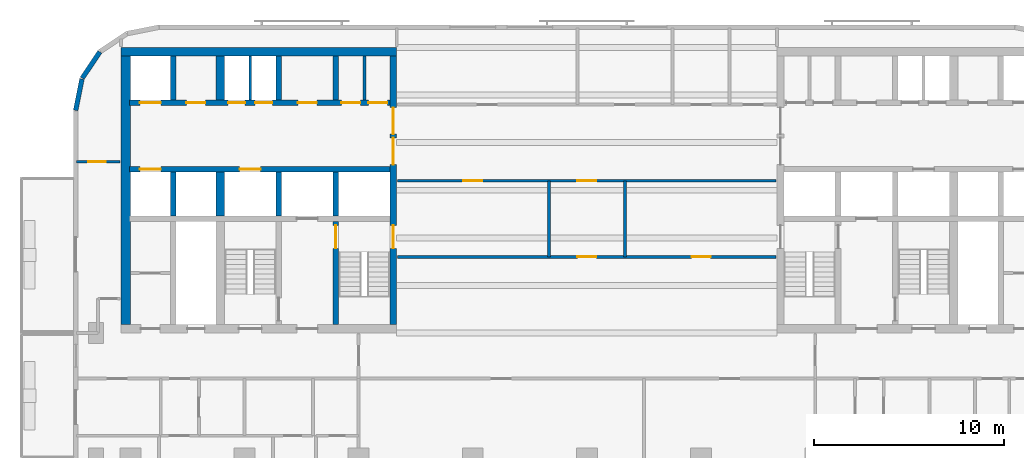
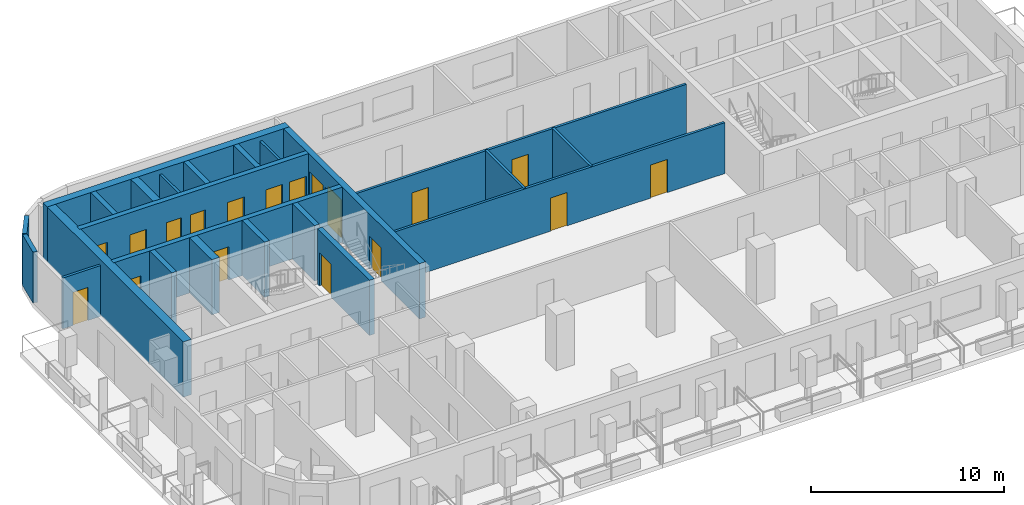
# One storey, part 4 of 11: 23 walls, 18 doors, 18 openings.
"""IFC4 building model written with IfcOpenShell, lengths in metres."""

from ifc_helpers import new_model, si_unit, direction, frame, frame_2d, origin, place, context, subcontext, project, spatial, rectangle, extrude, material, layer, layer_set, type_object, element, fill, save


model = new_model("IFC4")

# Units and contexts
model_context = context("Model", 3, precision=1e-05, world=origin(), true_north=direction((0.0, 1.0)))
body_context = subcontext(model_context, "Body", "Model", "MODEL_VIEW")
ifc_project = project(units=[si_unit("LENGTHUNIT", "METRE"), si_unit("AREAUNIT", "SQUARE_METRE"), si_unit("VOLUMEUNIT", "CUBIC_METRE"), si_unit("PLANEANGLEUNIT", "RADIAN"), si_unit("MASSUNIT", "GRAM", prefix="KILO")], contexts=[model_context])

# Site, building, storey
site_placement = place(None, origin())
site = spatial("IfcSite", under=ifc_project, at=site_placement, CompositionType="ELEMENT")
building_placement = place(site_placement, origin())
building = spatial("IfcBuilding", under=site, at=building_placement, Name="Torana Hotel and Residences", CompositionType="ELEMENT")
storey_placement = place(building_placement, frame((0.0, 0.0, 204.60009765625)))
storey = spatial("IfcBuildingStorey", under=building, at=storey_placement, Name="L53", CompositionType="ELEMENT", Elevation=204.60009765625)

# Wall, openings, doors
ifc_material_1 = material(Name="Concrete C70/85", Category="concrete")
ifc_layer_1 = layer(ifc_material_1, 0.300048828125)
ifc_layer_set_1 = layer_set([ifc_layer_1], Name="CORE WALL 300 C70/85")
wall_type_1 = type_object("IfcWallType", Name="CORE WALL 300 C70/85", PredefinedType="SHEAR", material=ifc_layer_set_1)
wall_1_placement = place(storey_placement, frame((-24.050048828125, -2.89990234375, 0.0), z_axis=(0.0, 0.0, 1.0), x_axis=(1.0, 0.0, 0.0)))
wall_1 = element("IfcWall", 1, at=wall_1_placement, inside=storey, type_object=wall_type_1, Name="Core wall W row-N", PredefinedType="SHEAR", context=body_context, shape_type="SweptSolid", body=[
    extrude(rectangle(XDim=13.699951171875, YDim=0.300048828125, at=frame_2d((6.85009765625, 0.0))), origin(), (0.0, 0.0, 1.0), 3.5),
])
opening_1_placement = place(wall_1_placement, frame((0.550048828125, 0.0, 0.0)))
opening_1 = element("IfcOpeningElement", 2, at=opening_1_placement, cuts=wall_1, Name="Opening LD", PredefinedType="OPENING", context=body_context, shape_type="SweptSolid", body=[
    extrude(rectangle(XDim=1.10009765625, YDim=2.10009765625, at=frame_2d((0.550048828125, 1.050048828125))), frame((0.0, 0.159912109375, 0.0), z_axis=(0.0, -1.0, 0.0), x_axis=(1.0, 0.0, 0.0)), (0.0, 0.0, 1.0), 0.320068359375),
])
opening_2_placement = place(wall_1_placement, frame((6.612548828125, 0.0, 0.0)))
opening_2 = element("IfcOpeningElement", 3, at=opening_2_placement, cuts=wall_1, Name="Opening L53-08", PredefinedType="OPENING", context=body_context, shape_type="SweptSolid", body=[
    extrude(rectangle(XDim=0.89990234375, YDim=2.10009765625, at=frame_2d((0.449951171875, 1.050048828125))), frame((0.0, 0.159912109375, 0.0), z_axis=(0.0, -1.0, 0.0), x_axis=(1.0, 0.0, 0.0)), (0.0, 0.0, 1.0), 0.320068359375),
])
opening_3_placement = place(wall_1_placement, frame((5.1875, 0.0, 0.0)))
opening_3 = element("IfcOpeningElement", 4, at=opening_3_placement, cuts=wall_1, Name="Opening L53-09", PredefinedType="OPENING", context=body_context, shape_type="SweptSolid", body=[
    extrude(rectangle(XDim=0.89990234375, YDim=2.10009765625, at=frame_2d((0.449951171875, 1.050048828125))), frame((0.0, 0.159912109375, 0.0), z_axis=(0.0, -1.0, 0.0), x_axis=(1.0, 0.0, 0.0)), (0.0, 0.0, 1.0), 0.320068359375),
])
opening_4_placement = place(wall_1_placement, frame((12.5625, 0.0, 0.0)))
opening_4 = element("IfcOpeningElement", 5, at=opening_4_placement, cuts=wall_1, Name="Opening L53-10", PredefinedType="OPENING", context=body_context, shape_type="SweptSolid", body=[
    extrude(rectangle(XDim=1.0, YDim=2.10009765625, at=frame_2d((0.5, 1.050048828125))), frame((0.0, 0.159912109375, 0.0), z_axis=(0.0, -1.0, 0.0), x_axis=(1.0, 0.0, 0.0)), (0.0, 0.0, 1.0), 0.320068359375),
])
opening_5_placement = place(wall_1_placement, frame((11.137451171875, 0.0, 0.0)))
opening_5 = element("IfcOpeningElement", 6, at=opening_5_placement, cuts=wall_1, Name="Opening L53-11", PredefinedType="OPENING", context=body_context, shape_type="SweptSolid", body=[
    extrude(rectangle(XDim=1.0, YDim=2.10009765625, at=frame_2d((0.5, 1.050048828125))), frame((0.0, 0.159912109375, 0.0), z_axis=(0.0, -1.0, 0.0), x_axis=(1.0, 0.0, 0.0)), (0.0, 0.0, 1.0), 0.320068359375),
])
opening_6_placement = place(wall_1_placement, frame((8.85009765625, 0.0, 0.0)))
opening_6 = element("IfcOpeningElement", 7, at=opening_6_placement, cuts=wall_1, Name="Opening L53-12", PredefinedType="OPENING", context=body_context, shape_type="SweptSolid", body=[
    extrude(rectangle(XDim=1.0, YDim=2.10009765625, at=frame_2d((0.5, 1.050048828125))), frame((0.0, 0.159912109375, 0.0), z_axis=(0.0, -1.0, 0.0), x_axis=(1.0, 0.0, 0.0)), (0.0, 0.0, 1.0), 0.320068359375),
])
opening_7_placement = place(wall_1_placement, frame((3.0, 0.0, 0.0)))
opening_7 = element("IfcOpeningElement", 8, at=opening_7_placement, cuts=wall_1, Name="Opening L53-13", PredefinedType="OPENING", context=body_context, shape_type="SweptSolid", body=[
    extrude(rectangle(XDim=1.0, YDim=2.10009765625, at=frame_2d((0.5, 1.050048828125))), frame((0.0, 0.159912109375, 0.0), z_axis=(0.0, -1.0, 0.0), x_axis=(1.0, 0.0, 0.0)), (0.0, 0.0, 1.0), 0.320068359375),
])
ifc_material_2 = material(Name="Steel S235", Category="steel")
door_type_1 = type_object("IfcDoorType", Name="CORE ROOM FIRE DOOR D14 1000x2100", OperationType="SINGLE_SWING_LEFT", PredefinedType="DOOR", material=ifc_material_2)
door_1_placement = place(opening_4_placement, origin())
door_1 = element("IfcDoor", 9, at=door_1_placement, inside=storey, type_object=door_type_1, Name="N0A door L53", OperationType="SINGLE_SWING_RIGHT", OverallHeight=2.10009765625, OverallWidth=1.0, PredefinedType="DOOR", context=body_context, shape_type="SweptSolid", body=[
    extrude(rectangle(XDim=1.0, YDim=2.10009765625, at=frame_2d((0.5, 1.050048828125))), frame((0.0, 0.02490234375, 0.0), z_axis=(0.0, -1.0, 0.0), x_axis=(1.0, 0.0, 0.0)), (0.0, 0.0, 1.0), 0.050048828125),
])
fill(opening_4, door_1)
door_2_placement = place(opening_5_placement, origin())
door_2 = element("IfcDoor", 10, at=door_2_placement, inside=storey, type_object=door_type_1, Name="N0B door L53", OperationType="SINGLE_SWING_RIGHT", OverallHeight=2.10009765625, OverallWidth=1.0, PredefinedType="DOOR", context=body_context, shape_type="SweptSolid", body=[
    extrude(rectangle(XDim=1.0, YDim=2.10009765625, at=frame_2d((0.5, 1.050048828125))), frame((0.0, 0.02490234375, 0.0), z_axis=(0.0, -1.0, 0.0), x_axis=(1.0, 0.0, 0.0)), (0.0, 0.0, 1.0), 0.050048828125),
])
fill(opening_5, door_2)
door_3_placement = place(opening_6_placement, origin())
door_3 = element("IfcDoor", 11, at=door_3_placement, inside=storey, type_object=door_type_1, Name="N1 door L53", OperationType="SINGLE_SWING_RIGHT", OverallHeight=2.10009765625, OverallWidth=1.0, PredefinedType="DOOR", context=body_context, shape_type="SweptSolid", body=[
    extrude(rectangle(XDim=1.0, YDim=2.10009765625, at=frame_2d((0.5, 1.050048828125))), frame((0.0, 0.02490234375, 0.0), z_axis=(0.0, -1.0, 0.0), x_axis=(1.0, 0.0, 0.0)), (0.0, 0.0, 1.0), 0.050048828125),
])
fill(opening_6, door_3)
door_4_placement = place(opening_7_placement, origin())
door_4 = element("IfcDoor", 12, at=door_4_placement, inside=storey, type_object=door_type_1, Name="Freed-S1 door L53", OperationType="SINGLE_SWING_RIGHT", OverallHeight=2.10009765625, OverallWidth=1.0, PredefinedType="DOOR", context=body_context, shape_type="SweptSolid", body=[
    extrude(rectangle(XDim=1.0, YDim=2.10009765625, at=frame_2d((0.5, 1.050048828125))), frame((0.0, 0.02490234375, 0.0), z_axis=(0.0, -1.0, 0.0), x_axis=(1.0, 0.0, 0.0)), (0.0, 0.0, 1.0), 0.050048828125),
])
fill(opening_7, door_4)
ifc_material_3 = material(Name="Stainless steel 316", Category="steel")
door_type_2 = type_object("IfcDoorType", Name="LIFT LANDING DOOR LD 1100x2100", OperationType="DOUBLE_DOOR_SLIDING", PredefinedType="USERDEFINED", material=ifc_material_3)
door_5_placement = place(opening_1_placement, origin())
door_5 = element("IfcDoor", 13, at=door_5_placement, inside=storey, type_object=door_type_2, Name="Lift landing door M1 L53", ObjectType="LIFT LANDING DOOR", OperationType="DOUBLE_DOOR_SLIDING", OverallHeight=2.10009765625, OverallWidth=1.10009765625, PredefinedType="USERDEFINED", context=body_context, shape_type="SweptSolid", body=[
    extrude(rectangle(XDim=1.10009765625, YDim=2.10009765625, at=frame_2d((0.550048828125, 1.050048828125))), frame((0.0, 0.02490234375, 0.0), z_axis=(0.0, -1.0, 0.0), x_axis=(1.0, 0.0, 0.0)), (0.0, 0.0, 1.0), 0.050048828125),
])
fill(opening_1, door_5)
ifc_material_4 = material(Name="Steel S235", Category="steel")
door_type_3 = type_object("IfcDoorType", Name="RISER ACCESS DOOR D5 900x2100", OperationType="SINGLE_SWING_LEFT", PredefinedType="DOOR", material=ifc_material_4)
door_6_placement = place(opening_2_placement, origin())
door_6 = element("IfcDoor", 14, at=door_6_placement, inside=storey, type_object=door_type_3, Name="N2A door L53", OperationType="SINGLE_SWING_RIGHT", OverallHeight=2.10009765625, OverallWidth=0.89990234375, PredefinedType="DOOR", context=body_context, shape_type="SweptSolid", body=[
    extrude(rectangle(XDim=0.89990234375, YDim=2.10009765625, at=frame_2d((0.449951171875, 1.050048828125))), frame((0.0, 0.02490234375, 0.0), z_axis=(0.0, -1.0, 0.0), x_axis=(1.0, 0.0, 0.0)), (0.0, 0.0, 1.0), 0.050048828125),
])
fill(opening_2, door_6)
door_7_placement = place(opening_3_placement, origin())
door_7 = element("IfcDoor", 15, at=door_7_placement, inside=storey, type_object=door_type_3, Name="N2B door L53", OperationType="SINGLE_SWING_RIGHT", OverallHeight=2.10009765625, OverallWidth=0.89990234375, PredefinedType="DOOR", context=body_context, shape_type="SweptSolid", body=[
    extrude(rectangle(XDim=0.89990234375, YDim=2.10009765625, at=frame_2d((0.449951171875, 1.050048828125))), frame((0.0, 0.02490234375, 0.0), z_axis=(0.0, -1.0, 0.0), x_axis=(1.0, 0.0, 0.0)), (0.0, 0.0, 1.0), 0.050048828125),
])
fill(opening_3, door_7)

wall_2_placement = place(storey_placement, frame((-24.050048828125, -6.39990234375, 0.0), z_axis=(0.0, 0.0, 1.0), x_axis=(1.0, 0.0, 0.0)))
wall_2 = element("IfcWall", 16, at=wall_2_placement, inside=storey, type_object=wall_type_1, Name="Core wall W row-S", PredefinedType="SHEAR", context=body_context, shape_type="SweptSolid", body=[
    extrude(rectangle(XDim=13.699951171875, YDim=0.300048828125, at=frame_2d((6.85009765625, 0.0))), origin(), (0.0, 0.0, 1.0), 3.5),
])
opening_8_placement = place(wall_2_placement, frame((0.550048828125, 0.0, 0.0)))
opening_8 = element("IfcOpeningElement", 17, at=opening_8_placement, cuts=wall_2, Name="Opening LD", PredefinedType="OPENING", context=body_context, shape_type="SweptSolid", body=[
    extrude(rectangle(XDim=1.10009765625, YDim=2.10009765625, at=frame_2d((0.550048828125, 1.050048828125))), frame((0.0, 0.159912109375, 0.0), z_axis=(0.0, -1.0, 0.0), x_axis=(1.0, 0.0, 0.0)), (0.0, 0.0, 1.0), 0.320068359375),
])
opening_9_placement = place(wall_2_placement, frame((5.800048828125, 0.0, 0.0)))
opening_9 = element("IfcOpeningElement", 18, at=opening_9_placement, cuts=wall_2, Name="Opening LD", PredefinedType="OPENING", context=body_context, shape_type="SweptSolid", body=[
    extrude(rectangle(XDim=1.10009765625, YDim=2.10009765625, at=frame_2d((0.550048828125, 1.050048828125))), frame((0.0, 0.159912109375, 0.0), z_axis=(0.0, -1.0, 0.0), x_axis=(1.0, 0.0, 0.0)), (0.0, 0.0, 1.0), 0.320068359375),
])
door_8_placement = place(opening_8_placement, origin())
door_8 = element("IfcDoor", 19, at=door_8_placement, inside=storey, type_object=door_type_2, Name="Lift landing door M2 L53", ObjectType="LIFT LANDING DOOR", OperationType="DOUBLE_DOOR_SLIDING", OverallHeight=2.10009765625, OverallWidth=1.10009765625, PredefinedType="USERDEFINED", context=body_context, shape_type="SweptSolid", body=[
    extrude(rectangle(XDim=1.10009765625, YDim=2.10009765625, at=frame_2d((0.550048828125, 1.050048828125))), frame((0.0, 0.02490234375, 0.0), z_axis=(0.0, -1.0, 0.0), x_axis=(1.0, 0.0, 0.0)), (0.0, 0.0, 1.0), 0.050048828125),
])
fill(opening_8, door_8)
door_9_placement = place(opening_9_placement, origin())
door_9 = element("IfcDoor", 20, at=door_9_placement, inside=storey, type_object=door_type_2, Name="Lift landing door SV1 L53", ObjectType="LIFT LANDING DOOR", OperationType="DOUBLE_DOOR_SLIDING", OverallHeight=2.10009765625, OverallWidth=1.10009765625, PredefinedType="USERDEFINED", context=body_context, shape_type="SweptSolid", body=[
    extrude(rectangle(XDim=1.10009765625, YDim=2.10009765625, at=frame_2d((0.550048828125, 1.050048828125))), frame((0.0, 0.02490234375, 0.0), z_axis=(0.0, -1.0, 0.0), x_axis=(1.0, 0.0, 0.0)), (0.0, 0.0, 1.0), 0.050048828125),
])
fill(opening_9, door_9)

# Walls
for number, where, z_axis, x_axis, name in (
    (21, (-13.199951171875, -2.75, 0.0), (0.0, 0.0, 1.0), (0.0, 1.0, 0.0), "Core wall W x3.05-N"),
    (22, (-13.199951171875, -8.85009765625, 0.0), (0.0, 0.0, 1.0), (0.0, 1.0, 0.0), "Core wall W x3.05-S"),
):
    element("IfcWall", number, at=place(storey_placement, frame(where, z_axis=z_axis, x_axis=x_axis)), inside=storey, type_object=wall_type_1, Name=name, PredefinedType="SHEAR", context=body_context, shape_type="SweptSolid", body=[
        extrude(rectangle(XDim=2.300048828125, YDim=0.300048828125, at=frame_2d((1.14990234375, 0.0))), origin(), (0.0, 0.0, 1.0), 3.5),
    ])

# Wall, opening, door
wall_3_placement = place(storey_placement, frame((-13.199951171875, -14.550048828125, 0.0), z_axis=(0.0, 0.0, 1.0), x_axis=(0.0, 1.0, 0.0)))
wall_3 = element("IfcWall", 23, at=wall_3_placement, inside=storey, type_object=wall_type_1, Name="Core wall W x3.05-band", PredefinedType="SHEAR", context=body_context, shape_type="SweptSolid", body=[
    extrude(rectangle(XDim=5.400146484375, YDim=0.300048828125, at=frame_2d((2.7001953125, 0.0))), origin(), (0.0, 0.0, 1.0), 3.5),
])
opening_10_placement = place(wall_3_placement, frame((4.0, 0.0, 0.0)))
opening_10 = element("IfcOpeningElement", 24, at=opening_10_placement, cuts=wall_3, Name="Opening L53-14", PredefinedType="OPENING", context=body_context, shape_type="SweptSolid", body=[
    extrude(rectangle(XDim=1.199951171875, YDim=2.10009765625, at=frame_2d((0.60009765625, 1.050048828125))), frame((0.0, 0.159912109375, 0.0), z_axis=(0.0, -1.0, 0.0), x_axis=(1.0, 0.0, 0.0)), (0.0, 0.0, 1.0), 0.320068359375),
])
ifc_material_5 = material(Name="Steel S235", Category="steel")
door_type_4 = type_object("IfcDoorType", Name="STAIR FIRE DOOR D3 1200x2100", OperationType="SINGLE_SWING_LEFT", PredefinedType="DOOR", material=ifc_material_5)
door_10_placement = place(opening_10_placement, frame((0.60009765625, 0.0, 0.0), z_axis=(0.0, 0.0, 1.0), x_axis=(-1.0, 0.0, 0.0)))
door_10 = element("IfcDoor", 25, at=door_10_placement, inside=storey, type_object=door_type_4, Name="Stair-A-lobby door L53", OperationType="SINGLE_SWING_RIGHT", OverallHeight=2.10009765625, OverallWidth=1.199951171875, PredefinedType="DOOR", context=body_context, shape_type="SweptSolid", body=[
    extrude(rectangle(XDim=1.199951171875, YDim=2.10009765625, at=frame_2d((0.0, 1.050048828125))), frame((0.0, -0.02490234375, 0.0), z_axis=(0.0, 1.0, 0.0), x_axis=(-1.0, 0.0, 0.0)), (0.0, 0.0, 1.0), 0.050048828125),
])
fill(opening_10, door_10)

# Walls
for number, where, z_axis, x_axis, name in (
    (26, (-16.199951171875, -2.75, 0.0), (0.0, 0.0, 1.0), (0.0, 1.0, 0.0), "Core wall W x6.05-N"),
    (27, (-16.199951171875, -8.85009765625, 0.0), (0.0, 0.0, 1.0), (0.0, 1.0, 0.0), "Core wall W x6.05-S"),
    (28, (-21.75, -2.75, 0.0), (0.0, 0.0, 1.0), (0.0, 1.0, 0.0), "Core wall W mm-N"),
    (29, (-21.75, -8.85009765625, 0.0), (0.0, 0.0, 1.0), (0.0, 1.0, 0.0), "Core wall W mm-S"),
):
    element("IfcWall", number, at=place(storey_placement, frame(where, z_axis=z_axis, x_axis=x_axis)), inside=storey, type_object=wall_type_1, Name=name, PredefinedType="SHEAR", context=body_context, shape_type="SweptSolid", body=[
        extrude(rectangle(XDim=2.300048828125, YDim=0.300048828125, at=frame_2d((1.14990234375, 0.0))), origin(), (0.0, 0.0, 1.0), 3.5),
    ])

# Wall, openings, doors
ifc_material_6 = material(Name="Concrete C70/85", Category="concrete")
ifc_layer_2 = layer(ifc_material_6, 0.35009765625)
ifc_layer_set_2 = layer_set([ifc_layer_2], Name="CORE WALL 350 C70/85")
wall_type_2 = type_object("IfcWallType", Name="CORE WALL 350 C70/85", PredefinedType="SHEAR", material=ifc_layer_set_2)
wall_4_placement = place(storey_placement, frame((-10.175048828125, -14.550048828125, 0.0), z_axis=(0.0, 0.0, 1.0), x_axis=(0.0, 1.0, 0.0)))
wall_4 = element("IfcWall", 30, at=wall_4_placement, inside=storey, type_object=wall_type_2, Name="Core wall W arch", PredefinedType="SHEAR", context=body_context, shape_type="SweptSolid", body=[
    extrude(rectangle(XDim=14.10009765625, YDim=0.35009765625, at=frame_2d((7.050048828125, 0.0))), origin(), (0.0, 0.0, 1.0), 3.5),
])
opening_11_placement = place(wall_4_placement, frame((8.39990234375, 0.0, 0.0)))
opening_11 = element("IfcOpeningElement", 31, at=opening_11_placement, cuts=wall_4, Name="Opening L53-01", PredefinedType="OPENING", context=body_context, shape_type="SweptSolid", body=[
    extrude(rectangle(XDim=1.39990234375, YDim=2.39990234375, at=frame_2d((0.699951171875, 1.199951171875))), frame((0.0, 0.18505859375, 0.0), z_axis=(0.0, -1.0, 0.0), x_axis=(1.0, 0.0, 0.0)), (0.0, 0.0, 1.0), 0.3701171875),
])
opening_12_placement = place(wall_4_placement, frame((10.0, 0.0, 0.0)))
opening_12 = element("IfcOpeningElement", 32, at=opening_12_placement, cuts=wall_4, Name="Opening L53-02", PredefinedType="OPENING", context=body_context, shape_type="SweptSolid", body=[
    extrude(rectangle(XDim=1.39990234375, YDim=2.39990234375, at=frame_2d((0.699951171875, 1.199951171875))), frame((0.0, 0.18505859375, 0.0), z_axis=(0.0, -1.0, 0.0), x_axis=(1.0, 0.0, 0.0)), (0.0, 0.0, 1.0), 0.3701171875),
])
opening_13_placement = place(wall_4_placement, frame((4.0, 0.0, 0.0)))
opening_13 = element("IfcOpeningElement", 33, at=opening_13_placement, cuts=wall_4, Name="Opening L53-03", PredefinedType="OPENING", context=body_context, shape_type="SweptSolid", body=[
    extrude(rectangle(XDim=1.199951171875, YDim=2.10009765625, at=frame_2d((0.60009765625, 1.050048828125))), frame((0.0, 0.18505859375, 0.0), z_axis=(0.0, -1.0, 0.0), x_axis=(1.0, 0.0, 0.0)), (0.0, 0.0, 1.0), 0.3701171875),
])
ifc_material_7 = material(Name="Steel S235", Category="steel")
door_type_5 = type_object("IfcDoorType", Name="LOBBY FIRE DOOR D4 1400x2400", OperationType="DOUBLE_DOOR_SINGLE_SWING", PredefinedType="DOOR", material=ifc_material_7)
door_11_placement = place(opening_11_placement, origin())
door_11 = element("IfcDoor", 34, at=door_11_placement, inside=storey, type_object=door_type_5, Name="Lobby-1 door L53", OperationType="DOUBLE_DOOR_SINGLE_SWING", OverallHeight=2.39990234375, OverallWidth=1.39990234375, PredefinedType="DOOR", context=body_context, shape_type="SweptSolid", body=[
    extrude(rectangle(XDim=1.39990234375, YDim=2.39990234375, at=frame_2d((0.699951171875, 1.199951171875))), frame((0.0, 0.02490234375, 0.0), z_axis=(0.0, -1.0, 0.0), x_axis=(1.0, 0.0, 0.0)), (0.0, 0.0, 1.0), 0.050048828125),
])
fill(opening_11, door_11)
door_12_placement = place(opening_12_placement, origin())
door_12 = element("IfcDoor", 35, at=door_12_placement, inside=storey, type_object=door_type_5, Name="Lobby-2 door L53", OperationType="DOUBLE_DOOR_SINGLE_SWING", OverallHeight=2.39990234375, OverallWidth=1.39990234375, PredefinedType="DOOR", context=body_context, shape_type="SweptSolid", body=[
    extrude(rectangle(XDim=1.39990234375, YDim=2.39990234375, at=frame_2d((0.699951171875, 1.199951171875))), frame((0.0, 0.02490234375, 0.0), z_axis=(0.0, -1.0, 0.0), x_axis=(1.0, 0.0, 0.0)), (0.0, 0.0, 1.0), 0.050048828125),
])
fill(opening_12, door_12)
door_13_placement = place(opening_13_placement, origin())
door_13 = element("IfcDoor", 36, at=door_13_placement, inside=storey, type_object=door_type_4, Name="Stair-A door L53", OperationType="SINGLE_SWING_LEFT", OverallHeight=2.10009765625, OverallWidth=1.199951171875, PredefinedType="DOOR", context=body_context, shape_type="SweptSolid", body=[
    extrude(rectangle(XDim=1.199951171875, YDim=2.10009765625, at=frame_2d((0.60009765625, 1.050048828125))), frame((0.0, 0.02490234375, 0.0), z_axis=(0.0, -1.0, 0.0), x_axis=(1.0, 0.0, 0.0)), (0.0, 0.0, 1.0), 0.050048828125),
])
fill(opening_13, door_13)

# Walls
ifc_material_8 = material(Name="Concrete C70/85", Category="concrete")
ifc_layer_3 = layer(ifc_material_8, 0.449951171875)
ifc_layer_set_3 = layer_set([ifc_layer_3], Name="CORE WALL 450 C70/85")
wall_type_3 = type_object("IfcWallType", Name="CORE WALL 450 C70/85", PredefinedType="SHEAR", material=ifc_layer_set_3)
wall_5_placement = place(storey_placement, frame((-24.5, -0.22509765625, 0.0), z_axis=(0.0, 0.0, 1.0), x_axis=(1.0, 0.0, 0.0)))
element("IfcWall", 37, at=wall_5_placement, inside=storey, type_object=wall_type_3, Name="Core wall W rear", PredefinedType="SHEAR", context=body_context, shape_type="SweptSolid", body=[
    extrude(rectangle(XDim=14.5, YDim=0.449951171875, at=frame_2d((7.25, 0.0))), origin(), (0.0, 0.0, 1.0), 3.5),
])
for number, where, z_axis, x_axis, name in (
    (38, (-19.27490234375, -2.75, 0.0), (0.0, 0.0, 1.0), (0.0, 1.0, 0.0), "Core wall W hm-N"),
    (39, (-19.27490234375, -8.85009765625, 0.0), (0.0, 0.0, 1.0), (0.0, 1.0, 0.0), "Core wall W hm-S"),
):
    element("IfcWall", number, at=place(storey_placement, frame(where, z_axis=z_axis, x_axis=x_axis)), inside=storey, type_object=wall_type_3, Name=name, PredefinedType="SHEAR", context=body_context, shape_type="SweptSolid", body=[
        extrude(rectangle(XDim=2.300048828125, YDim=0.449951171875, at=frame_2d((1.14990234375, 0.0))), origin(), (0.0, 0.0, 1.0), 3.5),
    ])
ifc_material_9 = material(Name="Concrete C70/85", Category="concrete")
ifc_layer_4 = layer(ifc_material_9, 0.5)
ifc_layer_set_4 = layer_set([ifc_layer_4], Name="CORE WALL 500 C70/85")
wall_type_4 = type_object("IfcWallType", Name="CORE WALL 500 C70/85", PredefinedType="SHEAR", material=ifc_layer_set_4)
wall_6_placement = place(storey_placement, frame((-24.25, -14.550048828125, 0.0), z_axis=(0.0, 0.0, 1.0), x_axis=(0.0, 1.0, 0.0)))
element("IfcWall", 40, at=wall_6_placement, inside=storey, type_object=wall_type_4, Name="Core wall W outer", PredefinedType="SHEAR", context=body_context, shape_type="SweptSolid", body=[
    extrude(rectangle(XDim=14.10009765625, YDim=0.5, at=frame_2d((7.050048828125, 0.0))), origin(), (0.0, 0.0, 1.0), 3.5),
])
ifc_material_10 = material(Name="Black aluminium composite panel", Category="aluminium")
ifc_layer_5 = layer(ifc_material_10, 0.00390625, Name="Cladding", Category="cladding")
ifc_material_11 = material(Name="Ventilated air cavity")
ifc_layer_6 = layer(ifc_material_11, 0.0400390625, Name="Ventilated cavity", Category="cavity")
ifc_material_12 = material(Name="Mineral wool insulation")
ifc_layer_7 = layer(ifc_material_12, 0.090087890625, Name="Insulation", Category="insulation")
ifc_material_13 = material(Name="Steel S280GD", Category="steel")
ifc_layer_8 = layer(ifc_material_13, 0.092041015625, Name="Steel stud frame", Category="structure")
ifc_material_14 = material(Name="Fire rated plasterboard")
ifc_layer_9 = layer(ifc_material_14, 0.011962890625, Name="Inner board", Category="finish")
ifc_layer_10 = layer(ifc_material_14, 0.011962890625, Name="Second board", Category="finish")
ifc_layer_set_5 = layer_set([ifc_layer_5, ifc_layer_6, ifc_layer_7, ifc_layer_8, ifc_layer_9, ifc_layer_10], Name="EW1 EXTERNAL WALL BLACK METAL CLAD 250")
wall_type_5 = type_object("IfcWallType", Name="EW1 EXTERNAL WALL BLACK METAL CLAD 250", PredefinedType="SOLIDWALL", material=ifc_layer_set_5)
wall_7_placement = place(storey_placement, frame((-25.605712890625, -0.228759765625, 0.0), z_axis=(0.0, 0.0, 1.0), x_axis=(-0.55555029066, -0.831482937015, 0.0)))
element("IfcWall", 41, at=wall_7_placement, inside=storey, type_object=wall_type_5, Name="External wall L53 e0.7", PredefinedType="SOLIDWALL", context=body_context, shape_type="SweptSolid", body=[
    extrude(rectangle(XDim=1.65625, YDim=0.25, at=frame_2d((0.828125, 0.0))), origin(), (0.0, 0.0, 1.0), 3.219970703125),
])
wall_8_placement = place(storey_placement, frame((-26.544677734375, -1.651123046875, 0.0), z_axis=(0.0, 0.0, 1.0), x_axis=(-0.194999110559, -0.980803419081, 0.0)))
element("IfcWall", 42, at=wall_8_placement, inside=storey, type_object=wall_type_5, Name="External wall L53 e0.8", PredefinedType="SOLIDWALL", context=body_context, shape_type="SweptSolid", body=[
    extrude(rectangle(XDim=1.681396484375, YDim=0.25, at=frame_2d((0.8408203125, 0.0))), origin(), (0.0, 0.0, 1.0), 3.219970703125),
])
ifc_material_15 = material(Name="Gypsum plaster")
ifc_layer_11 = layer(ifc_material_15, 0.014892578125, Name="Plaster", Category="finish")
ifc_material_16 = material(Name="Concrete blockwork", Category="masonry")
ifc_layer_12 = layer(ifc_material_16, 0.1201171875, Name="Blockwork", Category="structure")
ifc_layer_13 = layer(ifc_material_15, 0.014892578125, Name="Plaster", Category="finish")
ifc_layer_set_6 = layer_set([ifc_layer_11, ifc_layer_12, ifc_layer_13], Name="FIRE PARTITION 150 BLOCKWORK")
wall_type_6 = type_object("IfcWallType", Name="FIRE PARTITION 150 BLOCKWORK", PredefinedType="PARTITIONING", material=ifc_layer_set_6)
for number, where, z_axis, x_axis, name in (
    (43, (-17.699951171875, -2.75, 0.0), (0.0, 0.0, 1.0), (0.0, 1.0, 0.0), "Core partition L53"),
    (44, (-11.699951171875, -2.75, 0.0), (0.0, 0.0, 1.0), (0.0, 1.0, 0.0), "Core partition L53"),
):
    element("IfcWall", number, at=place(storey_placement, frame(where, z_axis=z_axis, x_axis=x_axis)), inside=storey, type_object=wall_type_6, Name=name, PredefinedType="PARTITIONING", context=body_context, shape_type="SweptSolid", body=[
        extrude(rectangle(XDim=2.300048828125, YDim=0.14990234375, at=frame_2d((1.14990234375, 0.0))), origin(), (0.0, 0.0, 1.0), 3.199951171875),
    ])
for number, where, z_axis, x_axis, name in (
    (45, (2.0, -11.0, 0.0), (0.0, 0.0, 1.0), (0.0, 1.0, 0.0), "Partition L53"),
    (46, (-2.0, -11.0, 0.0), (0.0, 0.0, 1.0), (0.0, 1.0, 0.0), "Partition L53"),
):
    element("IfcWall", number, at=place(storey_placement, frame(where, z_axis=z_axis, x_axis=x_axis)), inside=storey, type_object=wall_type_6, Name=name, PredefinedType="PARTITIONING", context=body_context, shape_type="SweptSolid", body=[
        extrude(rectangle(XDim=4.0, YDim=0.14990234375, at=frame_2d((2.0, 0.0))), origin(), (0.0, 0.0, 1.0), 3.219970703125),
    ])

# Wall, openings, doors
wall_9_placement = place(storey_placement, frame((-9.949951171875, -11.0, 0.0), z_axis=(0.0, 0.0, 1.0), x_axis=(1.0, 0.0, 0.0)))
wall_9 = element("IfcWall", 47, at=wall_9_placement, inside=storey, type_object=wall_type_6, Name="Partition L53", PredefinedType="PARTITIONING", context=body_context, shape_type="SweptSolid", body=[
    extrude(rectangle(XDim=19.89990234375, YDim=0.14990234375, at=frame_2d((9.949951171875, 0.0))), origin(), (0.0, 0.0, 1.0), 3.219970703125),
])
opening_14_placement = place(wall_9_placement, frame((9.449951171875, 0.0, 0.0)))
opening_14 = element("IfcOpeningElement", 48, at=opening_14_placement, cuts=wall_9, Name="Opening L53-42", PredefinedType="OPENING", context=body_context, shape_type="SweptSolid", body=[
    extrude(rectangle(XDim=1.0, YDim=2.10009765625, at=frame_2d((0.5, 1.050048828125))), frame((0.0, 0.0849609375, 0.0), z_axis=(0.0, -1.0, 0.0), x_axis=(1.0, 0.0, 0.0)), (0.0, 0.0, 1.0), 0.169921875),
])
opening_15_placement = place(wall_9_placement, frame((15.449951171875, 0.0, 0.0)))
opening_15 = element("IfcOpeningElement", 49, at=opening_15_placement, cuts=wall_9, Name="Opening L53-45", PredefinedType="OPENING", context=body_context, shape_type="SweptSolid", body=[
    extrude(rectangle(XDim=1.0, YDim=2.10009765625, at=frame_2d((0.5, 1.050048828125))), frame((0.0, 0.0849609375, 0.0), z_axis=(0.0, -1.0, 0.0), x_axis=(1.0, 0.0, 0.0)), (0.0, 0.0, 1.0), 0.169921875),
])
ifc_material_17 = material(Name="Steel S235", Category="steel")
door_type_6 = type_object("IfcDoorType", Name="ENTRY FIRE DOOR D6 1000x2100", OperationType="SINGLE_SWING_LEFT", PredefinedType="DOOR", material=ifc_material_17)
door_14_placement = place(opening_14_placement, origin())
door_14 = element("IfcDoor", 50, at=door_14_placement, inside=storey, type_object=door_type_6, Name="Door L53", OperationType="SINGLE_SWING_RIGHT", OverallHeight=2.10009765625, OverallWidth=1.0, PredefinedType="DOOR", context=body_context, shape_type="SweptSolid", body=[
    extrude(rectangle(XDim=1.0, YDim=2.10009765625, at=frame_2d((0.5, 1.050048828125))), frame((0.0, 0.02490234375, 0.0), z_axis=(0.0, -1.0, 0.0), x_axis=(1.0, 0.0, 0.0)), (0.0, 0.0, 1.0), 0.050048828125),
])
fill(opening_14, door_14)
door_15_placement = place(opening_15_placement, origin())
door_15 = element("IfcDoor", 51, at=door_15_placement, inside=storey, type_object=door_type_6, Name="Door L53", OperationType="SINGLE_SWING_RIGHT", OverallHeight=2.10009765625, OverallWidth=1.0, PredefinedType="DOOR", context=body_context, shape_type="SweptSolid", body=[
    extrude(rectangle(XDim=1.0, YDim=2.10009765625, at=frame_2d((0.5, 1.050048828125))), frame((0.0, 0.02490234375, 0.0), z_axis=(0.0, -1.0, 0.0), x_axis=(1.0, 0.0, 0.0)), (0.0, 0.0, 1.0), 0.050048828125),
])
fill(opening_15, door_15)

wall_10_placement = place(storey_placement, frame((-9.949951171875, -7.0, 0.0), z_axis=(0.0, 0.0, 1.0), x_axis=(1.0, 0.0, 0.0)))
wall_10 = element("IfcWall", 52, at=wall_10_placement, inside=storey, type_object=wall_type_6, Name="Partition L53", PredefinedType="PARTITIONING", context=body_context, shape_type="SweptSolid", body=[
    extrude(rectangle(XDim=19.89990234375, YDim=0.14990234375, at=frame_2d((9.949951171875, 0.0))), origin(), (0.0, 0.0, 1.0), 3.219970703125),
])
opening_16_placement = place(wall_10_placement, frame((9.449951171875, 0.0, 0.0)))
opening_16 = element("IfcOpeningElement", 53, at=opening_16_placement, cuts=wall_10, Name="Opening L53-46", PredefinedType="OPENING", context=body_context, shape_type="SweptSolid", body=[
    extrude(rectangle(XDim=1.0, YDim=2.10009765625, at=frame_2d((0.5, 1.050048828125))), frame((0.0, 0.0849609375, 0.0), z_axis=(0.0, -1.0, 0.0), x_axis=(1.0, 0.0, 0.0)), (0.0, 0.0, 1.0), 0.169921875),
])
opening_17_placement = place(wall_10_placement, frame((3.449951171875, 0.0, 0.0)))
opening_17 = element("IfcOpeningElement", 54, at=opening_17_placement, cuts=wall_10, Name="Opening L53-47", PredefinedType="OPENING", context=body_context, shape_type="SweptSolid", body=[
    extrude(rectangle(XDim=1.0, YDim=2.10009765625, at=frame_2d((0.5, 1.050048828125))), frame((0.0, 0.0849609375, 0.0), z_axis=(0.0, -1.0, 0.0), x_axis=(1.0, 0.0, 0.0)), (0.0, 0.0, 1.0), 0.169921875),
])
door_16_placement = place(opening_16_placement, origin())
door_16 = element("IfcDoor", 55, at=door_16_placement, inside=storey, type_object=door_type_6, Name="Door L53", OperationType="SINGLE_SWING_RIGHT", OverallHeight=2.10009765625, OverallWidth=1.0, PredefinedType="DOOR", context=body_context, shape_type="SweptSolid", body=[
    extrude(rectangle(XDim=1.0, YDim=2.10009765625, at=frame_2d((0.5, 1.050048828125))), frame((0.0, 0.02490234375, 0.0), z_axis=(0.0, -1.0, 0.0), x_axis=(1.0, 0.0, 0.0)), (0.0, 0.0, 1.0), 0.050048828125),
])
fill(opening_16, door_16)
door_17_placement = place(opening_17_placement, frame((0.5, 0.0, 0.0), z_axis=(0.0, 0.0, 1.0), x_axis=(-1.0, 0.0, 0.0)))
door_17 = element("IfcDoor", 56, at=door_17_placement, inside=storey, type_object=door_type_6, Name="Door L53", OperationType="SINGLE_SWING_LEFT", OverallHeight=2.10009765625, OverallWidth=1.0, PredefinedType="DOOR", context=body_context, shape_type="SweptSolid", body=[
    extrude(rectangle(XDim=1.0, YDim=2.10009765625, at=frame_2d((0.0, 1.050048828125))), frame((0.0, -0.02490234375, 0.0), z_axis=(0.0, 1.0, 0.0), x_axis=(-1.0, 0.0, 0.0)), (0.0, 0.0, 1.0), 0.050048828125),
])
fill(opening_17, door_17)

# Wall, opening, door
ifc_material_18 = material(Name="Gypsum plasterboard")
ifc_layer_14 = layer(ifc_material_18, 0.012451171875, Name="Plasterboard", Category="finish")
ifc_layer_15 = layer(ifc_material_18, 0.012451171875, Name="Plasterboard", Category="finish")
ifc_layer_16 = layer(ifc_material_13, 0.10009765625, Name="Steel studs with mineral wool", Category="insulation")
ifc_layer_17 = layer(ifc_material_18, 0.012451171875, Name="Plasterboard", Category="finish")
ifc_layer_18 = layer(ifc_material_18, 0.012451171875, Name="Plasterboard", Category="finish")
ifc_layer_set_7 = layer_set([ifc_layer_14, ifc_layer_15, ifc_layer_16, ifc_layer_17, ifc_layer_18], Name="PARTITION 150 PLASTERBOARD")
wall_type_7 = type_object("IfcWallType", Name="PARTITION 150 PLASTERBOARD", PredefinedType="PARTITIONING", material=ifc_layer_set_7)
wall_11_placement = place(storey_placement, frame((-26.820068359375, -6.0, 0.0), z_axis=(0.0, 0.0, 1.0), x_axis=(1.0, 0.0, 0.0)))
wall_11 = element("IfcWall", 57, at=wall_11_placement, inside=storey, type_object=wall_type_7, Name="Partition L53", PredefinedType="PARTITIONING", context=body_context, shape_type="SweptSolid", body=[
    extrude(rectangle(XDim=2.27001953125, YDim=0.14990234375, at=frame_2d((1.135009765625, 0.0))), origin(), (0.0, 0.0, 1.0), 3.219970703125),
])
opening_18_placement = place(wall_11_placement, frame((0.6201171875, 0.0, 0.0)))
opening_18 = element("IfcOpeningElement", 58, at=opening_18_placement, cuts=wall_11, Name="Opening L53-66", PredefinedType="OPENING", context=body_context, shape_type="SweptSolid", body=[
    extrude(rectangle(XDim=0.89990234375, YDim=2.10009765625, at=frame_2d((0.449951171875, 1.050048828125))), frame((0.0, 0.0849609375, 0.0), z_axis=(0.0, -1.0, 0.0), x_axis=(1.0, 0.0, 0.0)), (0.0, 0.0, 1.0), 0.169921875),
])
ifc_material_19 = material(Name="Timber door, oiled ash", Category="wood")
door_type_7 = type_object("IfcDoorType", Name="ROOM DOOR D7 900x2100", OperationType="SINGLE_SWING_LEFT", PredefinedType="DOOR", material=ifc_material_19)
door_18_placement = place(opening_18_placement, origin())
door_18 = element("IfcDoor", 59, at=door_18_placement, inside=storey, type_object=door_type_7, Name="Door L53", OperationType="SINGLE_SWING_RIGHT", OverallHeight=2.10009765625, OverallWidth=0.89990234375, PredefinedType="DOOR", context=body_context, shape_type="SweptSolid", body=[
    extrude(rectangle(XDim=0.89990234375, YDim=2.10009765625, at=frame_2d((0.449951171875, 1.050048828125))), frame((0.0, 0.02490234375, 0.0), z_axis=(0.0, -1.0, 0.0), x_axis=(1.0, 0.0, 0.0)), (0.0, 0.0, 1.0), 0.050048828125),
])
fill(opening_18, door_18)

save(model, "model.ifc")
